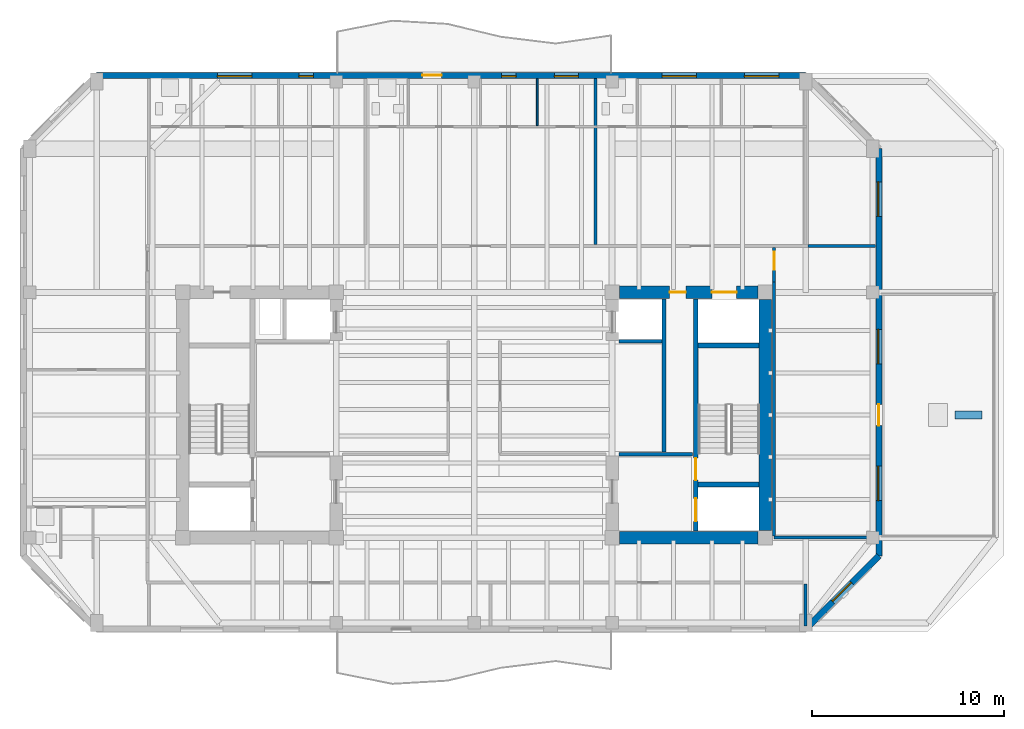
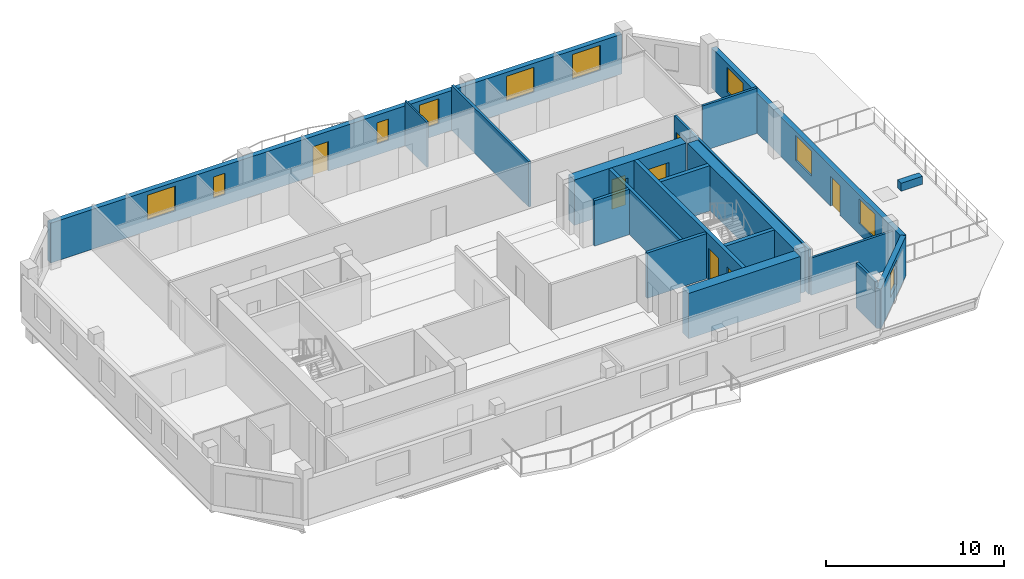
# One storey, part 5 of 10: 20 walls, 10 windows, 7 doors, 17 openings.
"""IFC4 building model written with IfcOpenShell, lengths in metres."""

from ifc_helpers import new_model, si_unit, direction, frame, frame_2d, origin, place, context, subcontext, project, spatial, rectangle, extrude, material, layer, layer_set, type_object, element, fill, save


model = new_model("IFC4")

# Units and contexts
model_context = context("Model", 3, precision=1e-05, world=origin(), true_north=direction((0.0, 1.0)))
body_context = subcontext(model_context, "Body", "Model", "MODEL_VIEW")
ifc_project = project(units=[si_unit("LENGTHUNIT", "METRE"), si_unit("AREAUNIT", "SQUARE_METRE"), si_unit("VOLUMEUNIT", "CUBIC_METRE"), si_unit("PLANEANGLEUNIT", "RADIAN"), si_unit("MASSUNIT", "GRAM", prefix="KILO")], contexts=[model_context])

# Site, building, storey
site_placement = place(None, origin())
site = spatial("IfcSite", under=ifc_project, at=site_placement, CompositionType="ELEMENT")
building_placement = place(site_placement, origin())
building = spatial("IfcBuilding", under=site, at=building_placement, Name="Kranthara Brick Stack", CompositionType="ELEMENT")
storey_placement = place(building_placement, frame((0.0, 0.0, 268.699951171875)))
storey = spatial("IfcBuildingStorey", under=building, at=storey_placement, Name="L71", CompositionType="ELEMENT", Elevation=268.699951171875)

# Wall, openings, door, windows
ifc_material_1 = material(Name="Warm buff clay brick masonry M15", Category="masonry")
ifc_layer_1 = layer(ifc_material_1, 0.320068359375)
ifc_layer_set_1 = layer_set([ifc_layer_1], Name="Warm buff clay brick masonry M15")
wall_type_1 = type_object("IfcWallType", Name="WL-BRK-UPPR-320", PredefinedType="STANDARD", material=ifc_layer_set_1)
wall_1_placement = place(storey_placement, frame((8.300048828125, 44.919921875, 0.0), z_axis=(0.0, 0.0, 1.0), x_axis=(1.0, 0.0, 0.0)))
wall_1 = element("IfcWall", 1, at=wall_1_placement, inside=storey, type_object=wall_type_1, Name="L71 Exterior Brick Facade Wall NORTH 1", PredefinedType="STANDARD", context=body_context, shape_type="SweptSolid", body=[
    extrude(rectangle(XDim=37.0, YDim=0.320068359375, at=frame_2d((18.5, 0.0))), origin(), (0.0, 0.0, 1.0), 2.72509765625),
])
opening_1_placement = place(wall_1_placement, frame((17.0, 0.0, 0.0)))
opening_1 = element("IfcOpeningElement", 2, at=opening_1_placement, cuts=wall_1, Name="Opening D03", PredefinedType="OPENING", context=body_context, shape_type="SweptSolid", body=[
    extrude(rectangle(XDim=1.0, YDim=2.02001953125, at=frame_2d((0.5, 1.010009765625))), frame((0.0, 0.169921875, 0.0), z_axis=(0.0, -1.0, 0.0), x_axis=(1.0, 0.0, 0.0)), (0.0, 0.0, 1.0), 0.340087890625),
])
opening_2_placement = place(wall_1_placement, frame((6.294921875, 0.0, 0.75)))
opening_2 = element("IfcOpeningElement", 3, at=opening_2_placement, cuts=wall_1, Name="Opening WN07", PredefinedType="OPENING", context=body_context, shape_type="SweptSolid", body=[
    extrude(rectangle(XDim=1.800048828125, YDim=1.699951171875, at=frame_2d((0.89990234375, 0.85009765625))), frame((0.0, 0.169921875, 0.0), z_axis=(0.0, -1.0, 0.0), x_axis=(1.0, 0.0, 0.0)), (0.0, 0.0, 1.0), 0.340087890625),
])
opening_3_placement = place(wall_1_placement, frame((23.885986328125, 0.0, 0.75)))
opening_3 = element("IfcOpeningElement", 4, at=opening_3_placement, cuts=wall_1, Name="Opening WN09", PredefinedType="OPENING", context=body_context, shape_type="SweptSolid", body=[
    extrude(rectangle(XDim=1.25, YDim=1.699951171875, at=frame_2d((0.625, 0.85009765625))), frame((0.0, 0.169921875, 0.0), z_axis=(0.0, -1.0, 0.0), x_axis=(1.0, 0.0, 0.0)), (0.0, 0.0, 1.0), 0.340087890625),
])
opening_4_placement = place(wall_1_placement, frame((29.5029296875, 0.0, 0.75)))
opening_4 = element("IfcOpeningElement", 5, at=opening_4_placement, cuts=wall_1, Name="Opening WN07", PredefinedType="OPENING", context=body_context, shape_type="SweptSolid", body=[
    extrude(rectangle(XDim=1.800048828125, YDim=1.699951171875, at=frame_2d((0.89990234375, 0.85009765625))), frame((0.0, 0.169921875, 0.0), z_axis=(0.0, -1.0, 0.0), x_axis=(1.0, 0.0, 0.0)), (0.0, 0.0, 1.0), 0.340087890625),
])
opening_5_placement = place(wall_1_placement, frame((33.798095703125, 0.0, 0.75)))
opening_5 = element("IfcOpeningElement", 6, at=opening_5_placement, cuts=wall_1, Name="Opening WN07", PredefinedType="OPENING", context=body_context, shape_type="SweptSolid", body=[
    extrude(rectangle(XDim=1.800048828125, YDim=1.699951171875, at=frame_2d((0.89990234375, 0.85009765625))), frame((0.0, 0.169921875, 0.0), z_axis=(0.0, -1.0, 0.0), x_axis=(1.0, 0.0, 0.0)), (0.0, 0.0, 1.0), 0.340087890625),
])
opening_6_placement = place(wall_1_placement, frame((10.55810546875, 0.0, 0.75)))
opening_6 = element("IfcOpeningElement", 7, at=opening_6_placement, cuts=wall_1, Name="Opening WN13", PredefinedType="OPENING", context=body_context, shape_type="SweptSolid", body=[
    extrude(rectangle(XDim=0.75, YDim=1.449951171875, at=frame_2d((0.375, 0.72509765625))), frame((0.0, 0.169921875, 0.0), z_axis=(0.0, -1.0, 0.0), x_axis=(1.0, 0.0, 0.0)), (0.0, 0.0, 1.0), 0.340087890625),
])
opening_7_placement = place(wall_1_placement, frame((21.135986328125, 0.0, 0.75)))
opening_7 = element("IfcOpeningElement", 8, at=opening_7_placement, cuts=wall_1, Name="Opening WN13", PredefinedType="OPENING", context=body_context, shape_type="SweptSolid", body=[
    extrude(rectangle(XDim=0.75, YDim=1.449951171875, at=frame_2d((0.375, 0.72509765625))), frame((0.0, 0.169921875, 0.0), z_axis=(0.0, -1.0, 0.0), x_axis=(1.0, 0.0, 0.0)), (0.0, 0.0, 1.0), 0.340087890625),
])
ifc_material_2 = material(Name="Bronze anodised aluminium and laminated glass", Category="aluminium")
door_type_1 = type_object("IfcDoorType", Name="DR-BALC-1000", OperationType="NOTDEFINED", PredefinedType="DOOR", material=ifc_material_2)
door_1_placement = place(opening_1_placement, origin())
door_1 = element("IfcDoor", 9, at=door_1_placement, inside=storey, type_object=door_type_1, Name="L71 North Balcony Terrace Door", OperationType="SINGLE_SWING_RIGHT", OverallHeight=2.02001953125, OverallWidth=1.0, PredefinedType="DOOR", context=body_context, shape_type="SweptSolid", body=[
    extrude(rectangle(XDim=1.0, YDim=2.02001953125, at=frame_2d((0.5, 1.010009765625))), frame((0.0, 0.02490234375, 0.0), z_axis=(0.0, -1.0, 0.0), x_axis=(1.0, 0.0, 0.0)), (0.0, 0.0, 1.0), 0.050048828125),
])
fill(opening_1, door_1)
ifc_material_3 = material(Name="Double-glazed low-E solar control glass", Category="glass")
window_type_1 = type_object("IfcWindowType", Name="WN-CAS-750x1450", PartitioningType="SINGLE_PANEL", PredefinedType="WINDOW", material=ifc_material_3)
window_1_placement = place(opening_6_placement, origin())
window_1 = element("IfcWindow", 10, at=window_1_placement, inside=storey, type_object=window_type_1, Name="L71 North Deep-Set Casement Window 05", OverallHeight=1.449951171875, OverallWidth=0.75, PartitioningType="SINGLE_PANEL", PredefinedType="WINDOW", context=body_context, shape_type="SweptSolid", body=[
    extrude(rectangle(XDim=0.75, YDim=1.449951171875, at=frame_2d((0.375, 0.72509765625))), frame((0.0, -0.010009765625, 0.0), z_axis=(0.0, -1.0, 0.0), x_axis=(1.0, 0.0, 0.0)), (0.0, 0.0, 1.0), 0.06005859375),
])
fill(opening_6, window_1)
window_2_placement = place(opening_7_placement, origin())
window_2 = element("IfcWindow", 11, at=window_2_placement, inside=storey, type_object=window_type_1, Name="L71 North Deep-Set Casement Window 06", OverallHeight=1.449951171875, OverallWidth=0.75, PartitioningType="SINGLE_PANEL", PredefinedType="WINDOW", context=body_context, shape_type="SweptSolid", body=[
    extrude(rectangle(XDim=0.75, YDim=1.449951171875, at=frame_2d((0.375, 0.72509765625))), frame((0.0, -0.010009765625, 0.0), z_axis=(0.0, -1.0, 0.0), x_axis=(1.0, 0.0, 0.0)), (0.0, 0.0, 1.0), 0.06005859375),
])
fill(opening_7, window_2)
ifc_material_4 = material(Name="Double-glazed low-E solar control glass", Category="glass")
window_type_2 = type_object("IfcWindowType", Name="WN-RES-1250x1850", PartitioningType="SINGLE_PANEL", PredefinedType="WINDOW", material=ifc_material_4)
window_3_placement = place(opening_3_placement, origin())
window_3 = element("IfcWindow", 12, at=window_3_placement, inside=storey, type_object=window_type_2, Name="L71 North Deep-Set Brick Window 02", OverallHeight=1.699951171875, OverallWidth=1.25, PartitioningType="SINGLE_PANEL", PredefinedType="WINDOW", context=body_context, shape_type="SweptSolid", body=[
    extrude(rectangle(XDim=1.25, YDim=1.699951171875, at=frame_2d((0.625, 0.85009765625))), frame((0.0, -0.010009765625, 0.0), z_axis=(0.0, -1.0, 0.0), x_axis=(1.0, 0.0, 0.0)), (0.0, 0.0, 1.0), 0.06005859375),
])
fill(opening_3, window_3)
ifc_material_5 = material(Name="Double-glazed low-E solar control glass", Category="glass")
window_type_3 = type_object("IfcWindowType", Name="WN-RES-1800x1850", PartitioningType="DOUBLE_PANEL_VERTICAL", PredefinedType="WINDOW", material=ifc_material_5)
window_4_placement = place(opening_2_placement, origin())
window_4 = element("IfcWindow", 13, at=window_4_placement, inside=storey, type_object=window_type_3, Name="L71 North Deep-Set Brick Window 01", OverallHeight=1.699951171875, OverallWidth=1.800048828125, PartitioningType="SINGLE_PANEL", PredefinedType="WINDOW", context=body_context, shape_type="SweptSolid", body=[
    extrude(rectangle(XDim=1.800048828125, YDim=1.699951171875, at=frame_2d((0.89990234375, 0.85009765625))), frame((0.0, -0.010009765625, 0.0), z_axis=(0.0, -1.0, 0.0), x_axis=(1.0, 0.0, 0.0)), (0.0, 0.0, 1.0), 0.06005859375),
])
fill(opening_2, window_4)
window_5_placement = place(opening_4_placement, origin())
window_5 = element("IfcWindow", 14, at=window_5_placement, inside=storey, type_object=window_type_3, Name="L71 North Deep-Set Brick Window 03", OverallHeight=1.699951171875, OverallWidth=1.800048828125, PartitioningType="SINGLE_PANEL", PredefinedType="WINDOW", context=body_context, shape_type="SweptSolid", body=[
    extrude(rectangle(XDim=1.800048828125, YDim=1.699951171875, at=frame_2d((0.89990234375, 0.85009765625))), frame((0.0, -0.010009765625, 0.0), z_axis=(0.0, -1.0, 0.0), x_axis=(1.0, 0.0, 0.0)), (0.0, 0.0, 1.0), 0.06005859375),
])
fill(opening_4, window_5)
window_6_placement = place(opening_5_placement, origin())
window_6 = element("IfcWindow", 15, at=window_6_placement, inside=storey, type_object=window_type_3, Name="L71 North Deep-Set Brick Window 04", OverallHeight=1.699951171875, OverallWidth=1.800048828125, PartitioningType="SINGLE_PANEL", PredefinedType="WINDOW", context=body_context, shape_type="SweptSolid", body=[
    extrude(rectangle(XDim=1.800048828125, YDim=1.699951171875, at=frame_2d((0.89990234375, 0.85009765625))), frame((0.0, -0.010009765625, 0.0), z_axis=(0.0, -1.0, 0.0), x_axis=(1.0, 0.0, 0.0)), (0.0, 0.0, 1.0), 0.06005859375),
])
fill(opening_5, window_6)

wall_2_placement = place(storey_placement, frame((49.1201171875, 41.10009765625, 0.0), z_axis=(0.0, 0.0, 1.0), x_axis=(0.0, -1.0, 0.0)))
wall_2 = element("IfcWall", 16, at=wall_2_placement, inside=storey, type_object=wall_type_1, Name="L71 Exterior Brick Facade Wall EAST 1", PredefinedType="STANDARD", context=body_context, shape_type="SweptSolid", body=[
    extrude(rectangle(XDim=21.25, YDim=0.320068359375, at=frame_2d((10.625, 0.0))), origin(), (0.0, 0.0, 1.0), 2.72509765625),
])
opening_8_placement = place(wall_2_placement, frame((13.35009765625, 0.0, 0.0)))
opening_8 = element("IfcOpeningElement", 17, at=opening_8_placement, cuts=wall_2, Name="Opening D02", PredefinedType="OPENING", context=body_context, shape_type="SweptSolid", body=[
    extrude(rectangle(XDim=1.10009765625, YDim=2.050048828125, at=frame_2d((0.550048828125, 1.02490234375))), frame((0.0, 0.169921875, 0.0), z_axis=(0.0, -1.0, 0.0), x_axis=(1.0, 0.0, 0.0)), (0.0, 0.0, 1.0), 0.340087890625),
])
opening_9_placement = place(wall_2_placement, frame((1.739990234375, 0.0, 0.75)))
opening_9 = element("IfcOpeningElement", 18, at=opening_9_placement, cuts=wall_2, Name="Opening WN07", PredefinedType="OPENING", context=body_context, shape_type="SweptSolid", body=[
    extrude(rectangle(XDim=1.800048828125, YDim=1.699951171875, at=frame_2d((0.89990234375, 0.85009765625))), frame((0.0, 0.169921875, 0.0), z_axis=(0.0, -1.0, 0.0), x_axis=(1.0, 0.0, 0.0)), (0.0, 0.0, 1.0), 0.340087890625),
])
opening_10_placement = place(wall_2_placement, frame((9.43701171875, 0.0, 0.75)))
opening_10 = element("IfcOpeningElement", 19, at=opening_10_placement, cuts=wall_2, Name="Opening WN07", PredefinedType="OPENING", context=body_context, shape_type="SweptSolid", body=[
    extrude(rectangle(XDim=1.800048828125, YDim=1.699951171875, at=frame_2d((0.89990234375, 0.85009765625))), frame((0.0, 0.169921875, 0.0), z_axis=(0.0, -1.0, 0.0), x_axis=(1.0, 0.0, 0.0)), (0.0, 0.0, 1.0), 0.340087890625),
])
opening_11_placement = place(wall_2_placement, frame((16.56201171875, 0.0, 0.75)))
opening_11 = element("IfcOpeningElement", 20, at=opening_11_placement, cuts=wall_2, Name="Opening WN07", PredefinedType="OPENING", context=body_context, shape_type="SweptSolid", body=[
    extrude(rectangle(XDim=1.800048828125, YDim=1.699951171875, at=frame_2d((0.89990234375, 0.85009765625))), frame((0.0, 0.169921875, 0.0), z_axis=(0.0, -1.0, 0.0), x_axis=(1.0, 0.0, 0.0)), (0.0, 0.0, 1.0), 0.340087890625),
])
ifc_material_6 = material(Name="Bronze anodised aluminium and laminated glass", Category="aluminium")
door_type_2 = type_object("IfcDoorType", Name="DR-TERR-1100", OperationType="NOTDEFINED", PredefinedType="DOOR", material=ifc_material_6)
door_2_placement = place(opening_8_placement, origin())
door_2 = element("IfcDoor", 21, at=door_2_placement, inside=storey, type_object=door_type_2, Name="L71 Planted Sky Garden Terrace Door", OperationType="SINGLE_SWING_LEFT", OverallHeight=2.050048828125, OverallWidth=1.10009765625, PredefinedType="DOOR", context=body_context, shape_type="SweptSolid", body=[
    extrude(rectangle(XDim=1.10009765625, YDim=2.050048828125, at=frame_2d((0.550048828125, 1.02490234375))), frame((0.0, 0.02490234375, 0.0), z_axis=(0.0, -1.0, 0.0), x_axis=(1.0, 0.0, 0.0)), (0.0, 0.0, 1.0), 0.050048828125),
])
fill(opening_8, door_2)
window_7_placement = place(opening_9_placement, origin())
window_7 = element("IfcWindow", 22, at=window_7_placement, inside=storey, type_object=window_type_3, Name="L71 East Deep-Set Brick Window 01", OverallHeight=1.699951171875, OverallWidth=1.800048828125, PartitioningType="SINGLE_PANEL", PredefinedType="WINDOW", context=body_context, shape_type="SweptSolid", body=[
    extrude(rectangle(XDim=1.800048828125, YDim=1.699951171875, at=frame_2d((0.89990234375, 0.85009765625))), frame((0.0, -0.010009765625, 0.0), z_axis=(0.0, -1.0, 0.0), x_axis=(1.0, 0.0, 0.0)), (0.0, 0.0, 1.0), 0.06005859375),
])
fill(opening_9, window_7)
window_8_placement = place(opening_10_placement, origin())
window_8 = element("IfcWindow", 23, at=window_8_placement, inside=storey, type_object=window_type_3, Name="L71 East Deep-Set Brick Window 02", OverallHeight=1.699951171875, OverallWidth=1.800048828125, PartitioningType="SINGLE_PANEL", PredefinedType="WINDOW", context=body_context, shape_type="SweptSolid", body=[
    extrude(rectangle(XDim=1.800048828125, YDim=1.699951171875, at=frame_2d((0.89990234375, 0.85009765625))), frame((0.0, -0.010009765625, 0.0), z_axis=(0.0, -1.0, 0.0), x_axis=(1.0, 0.0, 0.0)), (0.0, 0.0, 1.0), 0.06005859375),
])
fill(opening_10, window_8)
window_9_placement = place(opening_11_placement, origin())
window_9 = element("IfcWindow", 24, at=window_9_placement, inside=storey, type_object=window_type_3, Name="L71 East Deep-Set Brick Window 03", OverallHeight=1.699951171875, OverallWidth=1.800048828125, PartitioningType="SINGLE_PANEL", PredefinedType="WINDOW", context=body_context, shape_type="SweptSolid", body=[
    extrude(rectangle(XDim=1.800048828125, YDim=1.699951171875, at=frame_2d((0.89990234375, 0.85009765625))), frame((0.0, -0.010009765625, 0.0), z_axis=(0.0, -1.0, 0.0), x_axis=(1.0, 0.0, 0.0)), (0.0, 0.0, 1.0), 0.06005859375),
])
fill(opening_11, window_9)

# Wall, opening, window
wall_3_placement = place(storey_placement, frame((49.1201171875, 19.85009765625, 0.0), z_axis=(0.0, 0.0, 1.0), x_axis=(-0.707106781187, -0.707106781187, 0.0)))
wall_3 = element("IfcWall", 25, at=wall_3_placement, inside=storey, type_object=wall_type_1, Name="L71 Exterior Brick Facade Wall SE 1", PredefinedType="STANDARD", context=body_context, shape_type="SweptSolid", body=[
    extrude(rectangle(XDim=5.40234375, YDim=0.320068359375, at=frame_2d((2.701171875, 0.0))), origin(), (0.0, 0.0, 1.0), 2.72509765625),
])
opening_12_placement = place(wall_3_placement, frame((2.0009765625, 0.0, 0.75)))
opening_12 = element("IfcOpeningElement", 26, at=opening_12_placement, cuts=wall_3, Name="Opening WN10", PredefinedType="OPENING", context=body_context, shape_type="SweptSolid", body=[
    extrude(rectangle(XDim=1.39990234375, YDim=1.64990234375, at=frame_2d((0.699951171875, 0.824951171875))), frame((0.0, 0.169921875, 0.0), z_axis=(0.0, -1.0, 0.0), x_axis=(1.0, 0.0, 0.0)), (0.0, 0.0, 1.0), 0.340087890625),
])
ifc_material_7 = material(Name="Double-glazed low-E solar control glass", Category="glass")
window_type_4 = type_object("IfcWindowType", Name="WN-CHM-1400x1750", PartitioningType="SINGLE_PANEL", PredefinedType="WINDOW", material=ifc_material_7)
window_10_placement = place(opening_12_placement, origin())
window_10 = element("IfcWindow", 27, at=window_10_placement, inside=storey, type_object=window_type_4, Name="L71 SE Chamfer Corner Window", OverallHeight=1.64990234375, OverallWidth=1.39990234375, PartitioningType="SINGLE_PANEL", PredefinedType="WINDOW", context=body_context, shape_type="SweptSolid", body=[
    extrude(rectangle(XDim=1.39990234375, YDim=1.64990234375, at=frame_2d((0.699951171875, 0.824951171875))), frame((0.0, -0.010009765625, 0.0), z_axis=(0.0, -1.0, 0.0), x_axis=(1.0, 0.0, 0.0)), (0.0, 0.0, 1.0), 0.06005859375),
])
fill(opening_12, window_10)

# Wall, openings, doors
ifc_material_8 = material(Name="Concrete C50/60", Category="concrete")
ifc_layer_2 = layer(ifc_material_8, 0.25)
ifc_layer_set_2 = layer_set([ifc_layer_2], Name="Concrete C50/60")
wall_type_2 = type_object("IfcWallType", Name="WL-CORE-250", PredefinedType="SHEAR", material=ifc_layer_set_2)
wall_4_placement = place(storey_placement, frame((39.56494140625, 21.135009765625, 0.0), z_axis=(0.0, 0.0, 1.0), x_axis=(0.0, 1.0, 0.0)))
wall_4 = element("IfcWall", 28, at=wall_4_placement, inside=storey, type_object=wall_type_2, Name="L71 East Core Stair Bearing Spine Wall", PredefinedType="SHEAR", context=body_context, shape_type="SweptSolid", body=[
    extrude(rectangle(XDim=12.1298828125, YDim=0.25, at=frame_2d((6.06494140625, 0.0))), origin(), (0.0, 0.0, 1.0), 3.10009765625),
])
opening_13_placement = place(wall_4_placement, frame((0.514892578125, 0.0, 0.0)))
opening_13 = element("IfcOpeningElement", 29, at=opening_13_placement, cuts=wall_4, Name="Opening LD01", PredefinedType="OPENING", context=body_context, shape_type="SweptSolid", body=[
    extrude(rectangle(XDim=1.199951171875, YDim=2.14990234375, at=frame_2d((0.60009765625, 1.074951171875))), frame((0.0, 0.135009765625, 0.0), z_axis=(0.0, -1.0, 0.0), x_axis=(1.0, 0.0, 0.0)), (0.0, 0.0, 1.0), 0.27001953125),
])
opening_14_placement = place(wall_4_placement, frame((2.6650390625, 0.0, 0.0)))
opening_14 = element("IfcOpeningElement", 30, at=opening_14_placement, cuts=wall_4, Name="Opening D05", PredefinedType="OPENING", context=body_context, shape_type="SweptSolid", body=[
    extrude(rectangle(XDim=1.14990234375, YDim=2.14990234375, at=frame_2d((0.574951171875, 1.074951171875))), frame((0.0, 0.135009765625, 0.0), z_axis=(0.0, -1.0, 0.0), x_axis=(1.0, 0.0, 0.0)), (0.0, 0.0, 1.0), 0.27001953125),
])
ifc_material_9 = material(Name="Stainless steel sliding landing door", Category="steel")
door_type_3 = type_object("IfcDoorType", Name="DR-LD-FF1200", OperationType="DOUBLE_DOOR_SLIDING", PredefinedType="DOOR", material=ifc_material_9)
door_3_placement = place(opening_13_placement, origin())
door_3 = element("IfcDoor", 31, at=door_3_placement, inside=storey, type_object=door_type_3, Name="L71 Firefighting Lift FF-02 Landing Door", OperationType="DOUBLE_DOOR_SLIDING", OverallHeight=2.14990234375, OverallWidth=1.199951171875, PredefinedType="DOOR", context=body_context, shape_type="SweptSolid", body=[
    extrude(rectangle(XDim=1.199951171875, YDim=2.14990234375, at=frame_2d((0.60009765625, 1.074951171875))), frame((0.0, 0.02490234375, 0.0), z_axis=(0.0, -1.0, 0.0), x_axis=(1.0, 0.0, 0.0)), (0.0, 0.0, 1.0), 0.050048828125),
])
fill(opening_13, door_3)
ifc_material_10 = material(Name="Solid-core hardwood timber leaf in steel frame", Category="steel")
door_type_4 = type_object("IfcDoorType", Name="DR-ST-1150", OperationType="NOTDEFINED", PredefinedType="DOOR", material=ifc_material_10)
door_4_placement = place(opening_14_placement, origin())
door_4 = element("IfcDoor", 32, at=door_4_placement, inside=storey, type_object=door_type_4, Name="L71 Exit Stair ST02 Door", OperationType="SINGLE_SWING_LEFT", OverallHeight=2.14990234375, OverallWidth=1.14990234375, PredefinedType="DOOR", context=body_context, shape_type="SweptSolid", body=[
    extrude(rectangle(XDim=1.14990234375, YDim=2.14990234375, at=frame_2d((0.574951171875, 1.074951171875))), frame((0.0, 0.02490234375, 0.0), z_axis=(0.0, -1.0, 0.0), x_axis=(1.0, 0.0, 0.0)), (0.0, 0.0, 1.0), 0.050048828125),
])
fill(opening_14, door_4)

# Walls
for number, where, z_axis, x_axis, name in (
    (33, (39.68994140625, 23.570068359375, 0.0), (0.0, 0.0, 1.0), (1.0, 0.0, 0.0), "L71 East Stairwell Bearing Wall EFF"),
    (34, (39.68994140625, 30.830078125, 0.0), (0.0, 0.0, 1.0), (1.0, 0.0, 0.0), "L71 East Stairwell Bearing Wall EST"),
):
    element("IfcWall", number, at=place(storey_placement, frame(where, z_axis=z_axis, x_axis=x_axis)), inside=storey, type_object=wall_type_2, Name=name, PredefinedType="SHEAR", context=body_context, shape_type="SweptSolid", body=[
        extrude(rectangle(XDim=3.175048828125, YDim=0.25, at=frame_2d((1.58740234375, 0.0))), origin(), (0.0, 0.0, 1.0), 3.10009765625),
    ])
ifc_material_11 = material(Name="Concrete C60/75", Category="concrete")
ifc_layer_3 = layer(ifc_material_11, 0.64990234375)
ifc_layer_set_3 = layer_set([ifc_layer_3], Name="Concrete C60/75")
wall_type_3 = type_object("IfcWallType", Name="WL-CORE-650", PredefinedType="SHEAR", material=ifc_layer_set_3)
wall_5_placement = place(storey_placement, frame((43.199951171875, 21.179931640625, 0.0), z_axis=(0.0, 0.0, 1.0), x_axis=(0.0, 1.0, 0.0)))
element("IfcWall", 35, at=wall_5_placement, inside=storey, type_object=wall_type_3, Name="L71 East Core Shear Wall East", PredefinedType="SHEAR", context=body_context, shape_type="SweptSolid", body=[
    extrude(rectangle(XDim=12.0400390625, YDim=0.64990234375, at=frame_2d((6.02001953125, 0.0))), origin(), (0.0, 0.0, 1.0), 3.10009765625),
])
wall_6_placement = place(storey_placement, frame((35.580078125, 20.800048828125, 0.0), z_axis=(0.0, 0.0, 1.0), x_axis=(1.0, 0.0, 0.0)))
element("IfcWall", 36, at=wall_6_placement, inside=storey, type_object=wall_type_3, Name="L71 East Core Shear Wall South", PredefinedType="SHEAR", context=body_context, shape_type="SweptSolid", body=[
    extrude(rectangle(XDim=7.239990234375, YDim=0.64990234375, at=frame_2d((3.6201171875, 0.0))), origin(), (0.0, 0.0, 1.0), 3.10009765625),
])

# Wall, openings, doors
wall_7_placement = place(storey_placement, frame((35.580078125, 33.60009765625, 0.0), z_axis=(0.0, 0.0, 1.0), x_axis=(1.0, 0.0, 0.0)))
wall_7 = element("IfcWall", 37, at=wall_7_placement, inside=storey, type_object=wall_type_3, Name="L71 East Core Shear Wall North", PredefinedType="SHEAR", context=body_context, shape_type="SweptSolid", body=[
    extrude(rectangle(XDim=7.239990234375, YDim=0.64990234375, at=frame_2d((3.6201171875, 0.0))), origin(), (0.0, 0.0, 1.0), 3.10009765625),
])
opening_15_placement = place(wall_7_placement, frame((4.820068359375, 0.0, 0.0)))
opening_15 = element("IfcOpeningElement", 38, at=opening_15_placement, cuts=wall_7, Name="Opening LD03", PredefinedType="OPENING", context=body_context, shape_type="SweptSolid", body=[
    extrude(rectangle(XDim=1.300048828125, YDim=2.14990234375, at=frame_2d((0.64990234375, 1.074951171875))), frame((0.0, 0.3349609375, 0.0), z_axis=(0.0, -1.0, 0.0), x_axis=(1.0, 0.0, 0.0)), (0.0, 0.0, 1.0), 0.669921875),
])
opening_16_placement = place(wall_7_placement, frame((2.6201171875, 0.0, 0.0)))
opening_16 = element("IfcOpeningElement", 39, at=opening_16_placement, cuts=wall_7, Name="Opening D10", PredefinedType="OPENING", context=body_context, shape_type="SweptSolid", body=[
    extrude(rectangle(XDim=0.85009765625, YDim=2.02001953125, at=frame_2d((0.425048828125, 1.010009765625))), frame((0.0, 0.3349609375, 0.0), z_axis=(0.0, -1.0, 0.0), x_axis=(1.0, 0.0, 0.0)), (0.0, 0.0, 1.0), 0.669921875),
])
ifc_material_12 = material(Name="Stainless steel sliding landing door", Category="steel")
door_type_5 = type_object("IfcDoorType", Name="DR-LD-SV1300", OperationType="DOUBLE_DOOR_SLIDING", PredefinedType="DOOR", material=ifc_material_12)
door_5_placement = place(opening_15_placement, origin())
door_5 = element("IfcDoor", 40, at=door_5_placement, inside=storey, type_object=door_type_5, Name="L71 Stretcher Service Lift SV-01 Landing Door", OperationType="DOUBLE_DOOR_SLIDING", OverallHeight=2.14990234375, OverallWidth=1.300048828125, PredefinedType="DOOR", context=body_context, shape_type="SweptSolid", body=[
    extrude(rectangle(XDim=1.300048828125, YDim=2.14990234375, at=frame_2d((0.64990234375, 1.074951171875))), frame((0.0, 0.02490234375, 0.0), z_axis=(0.0, -1.0, 0.0), x_axis=(1.0, 0.0, 0.0)), (0.0, 0.0, 1.0), 0.050048828125),
])
fill(opening_15, door_5)
ifc_material_13 = material(Name="Solid-core hardwood timber leaf in steel frame", Category="steel")
door_type_6 = type_object("IfcDoorType", Name="DR-RSR-850", OperationType="NOTDEFINED", PredefinedType="DOOR", material=ifc_material_13)
door_6_placement = place(opening_16_placement, origin())
door_6 = element("IfcDoor", 41, at=door_6_placement, inside=storey, type_object=door_type_6, Name="L71 East Core Service Room Door", OperationType="SINGLE_SWING_LEFT", OverallHeight=2.02001953125, OverallWidth=0.85009765625, PredefinedType="DOOR", context=body_context, shape_type="SweptSolid", body=[
    extrude(rectangle(XDim=0.85009765625, YDim=2.02001953125, at=frame_2d((0.425048828125, 1.010009765625))), frame((0.0, 0.02490234375, 0.0), z_axis=(0.0, -1.0, 0.0), x_axis=(1.0, 0.0, 0.0)), (0.0, 0.0, 1.0), 0.050048828125),
])
fill(opening_16, door_6)

# Walls
ifc_material_14 = material(Name="Moisture-resistant wet-room partition", Category="other")
ifc_layer_4 = layer(ifc_material_14, 0.10009765625)
ifc_layer_set_4 = layer_set([ifc_layer_4], Name="Moisture-resistant wet-room partition")
wall_type_4 = type_object("IfcWallType", Name="WL-PART-100", PredefinedType="PARTITIONING", material=ifc_layer_set_4)
wall_8_placement = place(storey_placement, frame((31.291015625, 42.304931640625, 0.0), z_axis=(0.0, 0.0, 1.0), x_axis=(0.0, 1.0, 0.0)))
element("IfcWall", 42, at=wall_8_placement, inside=storey, type_object=wall_type_4, Name="L71 Interior Partition 018", PredefinedType="PARTITIONING", context=body_context, shape_type="SweptSolid", body=[
    extrude(rectangle(XDim=2.449951171875, YDim=0.10009765625, at=frame_2d((1.22509765625, 0.0))), origin(), (0.0, 0.0, 1.0), 3.10009765625),
])
ifc_material_15 = material(Name="Fire-rated gypsum board partition", Category="other")
ifc_layer_5 = layer(ifc_material_15, 0.14990234375)
ifc_layer_set_5 = layer_set([ifc_layer_5], Name="Fire-rated gypsum board partition")
wall_type_5 = type_object("IfcWallType", Name="WL-PART-150", PredefinedType="PARTITIONING", material=ifc_layer_set_5)
wall_9_placement = place(storey_placement, frame((45.300048828125, 16.195068359375, 0.0), z_axis=(0.0, 0.0, 1.0), x_axis=(0.0, 1.0, 0.0)))
element("IfcWall", 43, at=wall_9_placement, inside=storey, type_object=wall_type_5, Name="L71 Interior Partition 008", PredefinedType="PARTITIONING", context=body_context, shape_type="SweptSolid", body=[
    extrude(rectangle(XDim=2.184814453125, YDim=0.14990234375, at=frame_2d((1.09228515625, 0.0))), origin(), (0.0, 0.0, 1.0), 3.10009765625),
])
wall_10_placement = place(storey_placement, frame((34.330078125, 36.10009765625, 0.0), z_axis=(0.0, 0.0, 1.0), x_axis=(0.0, 1.0, 0.0)))
element("IfcWall", 44, at=wall_10_placement, inside=storey, type_object=wall_type_5, Name="L71 Interior Partition 019", PredefinedType="PARTITIONING", context=body_context, shape_type="SweptSolid", body=[
    extrude(rectangle(XDim=8.65478515625, YDim=0.14990234375, at=frame_2d((4.327392578125, 0.0))), origin(), (0.0, 0.0, 1.0), 3.10009765625),
])
wall_11_placement = place(storey_placement, frame((43.64990234375, 20.800048828125, 0.0), z_axis=(0.0, 0.0, 1.0), x_axis=(1.0, 0.0, 0.0)))
element("IfcWall", 45, at=wall_11_placement, inside=storey, type_object=wall_type_5, Name="L71 Interior Partition 033", PredefinedType="PARTITIONING", context=body_context, shape_type="SweptSolid", body=[
    extrude(rectangle(XDim=5.30517578125, YDim=0.14990234375, at=frame_2d((2.652587890625, 0.0))), origin(), (0.0, 0.0, 1.0), 2.53515625),
])
wall_12_placement = place(storey_placement, frame((45.429931640625, 36.02001953125, 0.0), z_axis=(0.0, 0.0, 1.0), x_axis=(1.0, 0.0, 0.0)))
element("IfcWall", 46, at=wall_12_placement, inside=storey, type_object=wall_type_5, Name="L71 Interior Partition 034", PredefinedType="PARTITIONING", context=body_context, shape_type="SweptSolid", body=[
    extrude(rectangle(XDim=3.525146484375, YDim=0.14990234375, at=frame_2d((1.7626953125, 0.0))), origin(), (0.0, 0.0, 1.0), 3.10009765625),
])
wall_13_placement = place(storey_placement, frame((43.64990234375, 20.8798828125, 0.0), z_axis=(0.0, 0.0, 1.0), x_axis=(0.0, 1.0, 0.0)))
element("IfcWall", 47, at=wall_13_placement, inside=storey, type_object=wall_type_5, Name="L71 Interior Partition 035", PredefinedType="PARTITIONING", context=body_context, shape_type="SweptSolid", body=[
    extrude(rectangle(XDim=13.27001953125, YDim=0.14990234375, at=frame_2d((6.635009765625, 0.0))), origin(), (0.0, 0.0, 1.0), 3.10009765625),
])

# Wall, opening, door
wall_14_placement = place(storey_placement, frame((43.64990234375, 34.14990234375, 0.0), z_axis=(0.0, 0.0, 1.0), x_axis=(0.0, 1.0, 0.0)))
wall_14 = element("IfcWall", 48, at=wall_14_placement, inside=storey, type_object=wall_type_5, Name="L71 Interior Partition 036", PredefinedType="PARTITIONING", context=body_context, shape_type="SweptSolid", body=[
    extrude(rectangle(XDim=1.7900390625, YDim=0.14990234375, at=frame_2d((0.89501953125, 0.0))), origin(), (0.0, 0.0, 1.0), 3.10009765625),
])
opening_17_placement = place(wall_14_placement, frame((0.6298828125, 0.0, 0.0)))
opening_17 = element("IfcOpeningElement", 49, at=opening_17_placement, cuts=wall_14, Name="Opening D09", PredefinedType="OPENING", context=body_context, shape_type="SweptSolid", body=[
    extrude(rectangle(XDim=0.949951171875, YDim=2.10009765625, at=frame_2d((0.47509765625, 1.050048828125))), frame((0.0, 0.0849609375, 0.0), z_axis=(0.0, -1.0, 0.0), x_axis=(1.0, 0.0, 0.0)), (0.0, 0.0, 1.0), 0.169921875),
])
ifc_material_16 = material(Name="Solid-core hardwood timber leaf in steel frame", Category="steel")
door_type_7 = type_object("IfcDoorType", Name="DR-FD-950", OperationType="NOTDEFINED", PredefinedType="DOOR", material=ifc_material_16)
door_7_placement = place(opening_17_placement, origin())
door_7 = element("IfcDoor", 50, at=door_7_placement, inside=storey, type_object=door_type_7, Name="L71 East Sky Conservatory Door 23", OperationType="SINGLE_SWING_LEFT", OverallHeight=2.10009765625, OverallWidth=0.949951171875, PredefinedType="DOOR", context=body_context, shape_type="SweptSolid", body=[
    extrude(rectangle(XDim=0.949951171875, YDim=2.10009765625, at=frame_2d((0.47509765625, 1.050048828125))), frame((0.0, 0.02490234375, 0.0), z_axis=(0.0, -1.0, 0.0), x_axis=(1.0, 0.0, 0.0)), (0.0, 0.0, 1.0), 0.050048828125),
])
fill(opening_17, door_7)

# Walls
ifc_material_17 = material(Name="Concrete C40/50", Category="concrete")
ifc_layer_6 = layer(ifc_material_17, 0.199951171875)
ifc_layer_set_6 = layer_set([ifc_layer_6], Name="Concrete C40/50")
wall_type_6 = type_object("IfcWallType", Name="WL-PART-200", PredefinedType="SOLIDWALL", material=ifc_layer_set_6)
wall_15_placement = place(storey_placement, frame((35.550048828125, 25.14990234375, 0.0), z_axis=(0.0, 0.0, 1.0), x_axis=(1.0, 0.0, 0.0)))
element("IfcWall", 51, at=wall_15_placement, inside=storey, type_object=wall_type_6, Name="L71 East Core Cross Wall EFL", PredefinedType="SOLIDWALL", context=body_context, shape_type="SweptSolid", body=[
    extrude(rectangle(XDim=3.849853515625, YDim=0.199951171875, at=frame_2d((1.9248046875, 0.0))), origin(), (0.0, 0.0, 1.0), 3.10009765625),
])
wall_16_placement = place(storey_placement, frame((35.550048828125, 31.050048828125, 0.0), z_axis=(0.0, 0.0, 1.0), x_axis=(1.0, 0.0, 0.0)))
element("IfcWall", 52, at=wall_16_placement, inside=storey, type_object=wall_type_6, Name="L71 East Core Cross Wall EE4", PredefinedType="SOLIDWALL", context=body_context, shape_type="SweptSolid", body=[
    extrude(rectangle(XDim=2.25, YDim=0.199951171875, at=frame_2d((1.125, 0.0))), origin(), (0.0, 0.0, 1.0), 3.10009765625),
])
wall_17_placement = place(storey_placement, frame((37.89990234375, 25.27001953125, 0.0), z_axis=(0.0, 0.0, 1.0), x_axis=(0.0, 1.0, 0.0)))
element("IfcWall", 53, at=wall_17_placement, inside=storey, type_object=wall_type_6, Name="L71 East Core Cross Wall ESV", PredefinedType="SOLIDWALL", context=body_context, shape_type="SweptSolid", body=[
    extrude(rectangle(XDim=7.994873046875, YDim=0.199951171875, at=frame_2d((3.99755859375, 0.0))), origin(), (0.0, 0.0, 1.0), 3.10009765625),
])
ifc_material_18 = material(Name="Precast concrete C40/50", Category="concrete")
ifc_layer_7 = layer(ifc_material_18, 0.219970703125)
ifc_layer_set_7 = layer_set([ifc_layer_7], Name="Precast concrete C40/50")
wall_type_7 = type_object("IfcWallType", Name="WL-PLN-KERB-220", PredefinedType="PARAPET", material=ifc_layer_set_7)
wall_18_placement = place(storey_placement, frame((53.10009765625, 27.199951171875, 0.0), z_axis=(0.0, 0.0, 1.0), x_axis=(1.0, 0.0, 0.0)))
element("IfcWall", 54, at=wall_18_placement, inside=storey, type_object=wall_type_7, Name="L71 Sky Garden Planted Planter Bed", PredefinedType="PARAPET", context=body_context, shape_type="SweptSolid", body=[
    extrude(rectangle(XDim=1.39990234375, YDim=0.39990234375, at=frame_2d((0.699951171875, 0.0))), origin(), (0.0, 0.0, 1.0), 0.550048828125),
])

save(model, "model.ifc")
